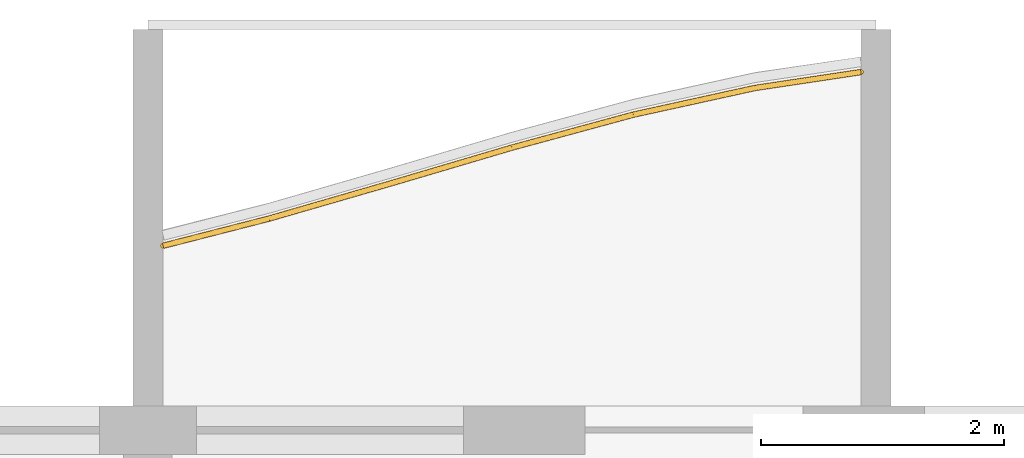
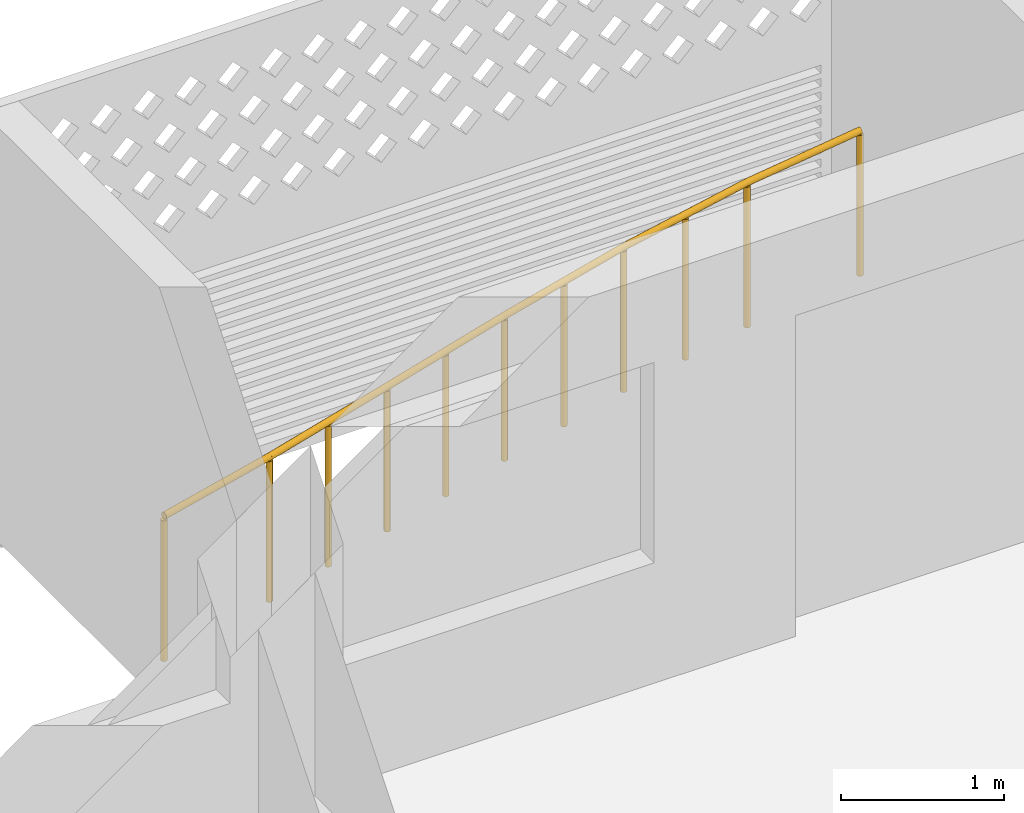
# One storey, part 39 of 44: 1 railing.
"""IFC4 building model written with IfcOpenShell, lengths in metres."""

from ifc_helpers import new_model, si_unit, direction, frame, origin, origin_2d, place, context, subcontext, project, spatial, circle, extrude, material, type_object, element, save


model = new_model("IFC4")

# Units and contexts
model_context = context("Model", 3, precision=1e-05, world=origin(), true_north=direction((0.0, 1.0)))
body_context = subcontext(model_context, "Body", "Model", "MODEL_VIEW")
ifc_project = project(units=[si_unit("LENGTHUNIT", "METRE"), si_unit("AREAUNIT", "SQUARE_METRE"), si_unit("VOLUMEUNIT", "CUBIC_METRE"), si_unit("PLANEANGLEUNIT", "RADIAN"), si_unit("MASSUNIT", "GRAM", prefix="KILO")], contexts=[model_context])

# Site, building, storey
site_placement = place(None, origin())
site = spatial("IfcSite", under=ifc_project, at=site_placement, CompositionType="ELEMENT")
building_placement = place(site_placement, origin())
building = spatial("IfcBuilding", under=site, at=building_placement, Name="Poui Terraces", CompositionType="ELEMENT")
storey_placement = place(building_placement, frame((0.0, 0.0, 26.699951171875)))
storey = spatial("IfcBuildingStorey", under=building, at=storey_placement, Name="L06", CompositionType="ELEMENT", Elevation=26.699951171875)

# Railing
ifc_material = material(Name="Painted steel fretwork", Category="steel")
railing_type = type_object("IfcRailingType", Name="BALCONY GUARD 1100", PredefinedType="GUARDRAIL", material=ifc_material)
railing_placement = place(storey_placement, frame((72.125, 46.319580078125, 0.0)))
element("IfcRailing", 1, at=railing_placement, inside=storey, type_object=railing_type, Name="BALCONY GUARD", PredefinedType="GUARDRAIL", context=body_context, shape_type="SweptSolid", body=[
    extrude(circle(Radius=0.02392578125, at=origin_2d()), frame((0.0, 0.0, 1.076171875), z_axis=(0.968662198693, 0.248381852846, 0.0), x_axis=(-0.248381852846, 0.968662198693, 0.0)), (0.0, 0.0, 1.0), 0.9033203125),
    extrude(circle(Radius=0.02392578125, at=origin_2d()), frame((0.875, 0.224365234375, 1.076171875), z_axis=(0.960669700127, 0.277693585193, 0.0), x_axis=(-0.277693585193, 0.960669700127, 0.0)), (0.0, 0.0, 1.0), 1.041015625),
    extrude(circle(Radius=0.02392578125, at=origin_2d()), frame((1.875, 0.513427734375, 1.076171875), z_axis=(0.959029275123, 0.283306988012, 0.0), x_axis=(-0.283306988012, 0.959029275123, 0.0)), (0.0, 0.0, 1.0), 1.042724609375),
    extrude(circle(Radius=0.02392578125, at=origin_2d()), frame((2.875, 0.808837890625, 1.076171875), z_axis=(0.965067658743, 0.262000790167, 0.0), x_axis=(-0.262000790167, 0.965067658743, 0.0)), (0.0, 0.0, 1.0), 1.0361328125),
    extrude(circle(Radius=0.02392578125, at=origin_2d()), frame((3.875, 1.080322265625, 1.076171875), z_axis=(0.97675043296, 0.214379550593, 0.0), x_axis=(-0.214379550593, 0.97675043296, 0.0)), (0.0, 0.0, 1.0), 1.023681640625),
    extrude(circle(Radius=0.02392578125, at=origin_2d()), frame((4.875, 1.2998046875, 1.076171875), z_axis=(0.988920155698, 0.148448393908, 0.0), x_axis=(-0.148448393908, 0.988920155698, 0.0)), (0.0, 0.0, 1.0), 0.884765625),
    extrude(circle(Radius=0.02099609375, at=origin_2d()), origin(), (0.0, 0.0, 1.0), 1.052001953125),
    extrude(circle(Radius=0.02099609375, at=origin_2d()), frame((0.875, 0.224365234375, 0.0)), (0.0, 0.0, 1.0), 1.052001953125),
    extrude(circle(Radius=0.02099609375, at=origin_2d()), frame((1.375, 0.368896484375, 0.0)), (0.0, 0.0, 1.0), 1.052001953125),
    extrude(circle(Radius=0.02099609375, at=origin_2d()), frame((1.875, 0.513427734375, 0.0)), (0.0, 0.0, 1.0), 1.052001953125),
    extrude(circle(Radius=0.02099609375, at=origin_2d()), frame((2.375, 0.6611328125, 0.0)), (0.0, 0.0, 1.0), 1.052001953125),
    extrude(circle(Radius=0.02099609375, at=origin_2d()), frame((2.875, 0.808837890625, 0.0)), (0.0, 0.0, 1.0), 1.052001953125),
    extrude(circle(Radius=0.02099609375, at=origin_2d()), frame((3.375, 0.944580078125, 0.0)), (0.0, 0.0, 1.0), 1.052001953125),
    extrude(circle(Radius=0.02099609375, at=origin_2d()), frame((3.875, 1.080322265625, 0.0)), (0.0, 0.0, 1.0), 1.052001953125),
    extrude(circle(Radius=0.02099609375, at=origin_2d()), frame((4.375, 1.18994140625, 0.0)), (0.0, 0.0, 1.0), 1.052001953125),
    extrude(circle(Radius=0.02099609375, at=origin_2d()), frame((4.875, 1.2998046875, 0.0)), (0.0, 0.0, 1.0), 1.052001953125),
    extrude(circle(Radius=0.02099609375, at=origin_2d()), frame((5.75, 1.43115234375, 0.0)), (0.0, 0.0, 1.0), 1.052001953125),
])

save(model, "model.ifc")
